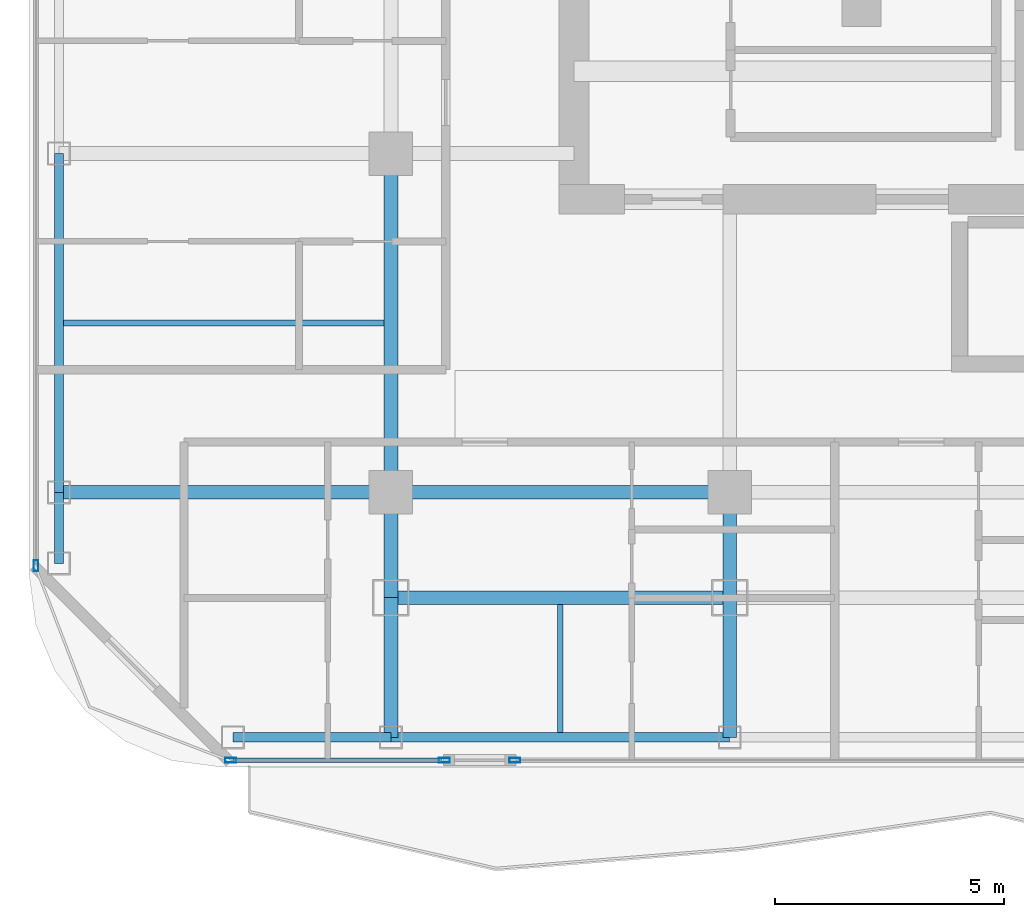
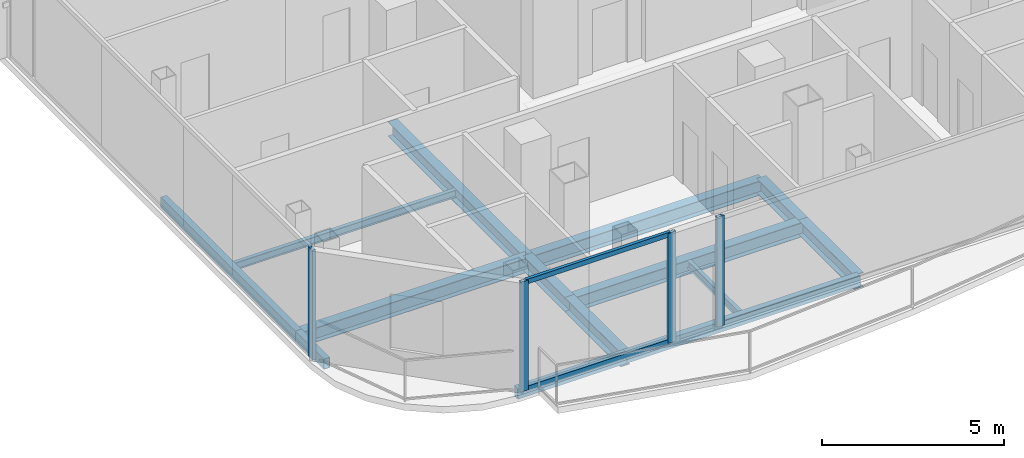
# One storey, part 2 of 26: 14 beams, 6 members, 3 elements without a shape of their own.
"""IFC4 building model written with IfcOpenShell, lengths in metres."""

from ifc_helpers import new_model, si_unit, direction, frame, origin, origin_2d, place, context, subcontext, project, spatial, hollow_rectangle, i_section, extrude, material, layer, layer_set, material_profile, profile_set, type_object, element, aggregate, save


model = new_model("IFC4")

# Units and contexts
model_context = context("Model", 3, precision=1e-05, world=origin(), true_north=direction((0.0, 1.0)))
body_context = subcontext(model_context, "Body", "Model", "MODEL_VIEW")
ifc_project = project(units=[si_unit("LENGTHUNIT", "METRE"), si_unit("AREAUNIT", "SQUARE_METRE"), si_unit("VOLUMEUNIT", "CUBIC_METRE"), si_unit("PLANEANGLEUNIT", "RADIAN"), si_unit("MASSUNIT", "GRAM", prefix="KILO")], contexts=[model_context])

# Site, building, storey
site_placement = place(None, origin())
site = spatial("IfcSite", under=ifc_project, at=site_placement, CompositionType="ELEMENT")
building_placement = place(site_placement, origin())
building = spatial("IfcBuilding", under=site, at=building_placement, Name="Khorvyn Point Tower", CompositionType="ELEMENT")
storey_placement = place(building_placement, frame((0.0, 0.0, 289.800048828125)))
storey = spatial("IfcBuildingStorey", under=building, at=storey_placement, Name="L71", CompositionType="ELEMENT", Elevation=289.800048828125)

# Curtain wall, member
ifc_material_1 = material(Name="Anodised aluminium 6063-T6 and laminated Low-E glass", Category="aluminium")
ifc_layer = layer(ifc_material_1, 0.18994140625)
ifc_layer_set = layer_set([ifc_layer], Name="Stick-Built High-Wind Curtain Wall CW-SYS-04")
curtain_wall_type = type_object("IfcCurtainWallType", Name="Stick-Built High-Wind Curtain Wall CW-SYS-04", PredefinedType="NOTDEFINED", material=ifc_layer_set)
curtain_wall_1_placement = place(storey_placement, origin())
curtain_wall_1 = element("IfcCurtainWall", 1, at=curtain_wall_1_placement, inside=storey, type_object=curtain_wall_type, Name="Curtain Wall", PredefinedType="NOTDEFINED")
ifc_material_2 = material(Name="Anodised aluminium 6063-T6", Category="aluminium")
ifc_material_profile_1 = material_profile(ifc_material_2, hollow_rectangle(XDim=0.10009765625, YDim=0.239990234375, WallThickness=0.0048828125, at=origin_2d()))
ifc_profile_set_1 = profile_set([ifc_material_profile_1], Name="Anodised aluminium 6063-T6 ALU-MUL-100x240")
member_type_1 = type_object("IfcMemberType", Name="Anodised Aluminium 6063-T6 Mullion ALU-MUL-100x240", PredefinedType="MULLION", material=ifc_profile_set_1)
member_1_placement = place(storey_placement, frame((-12.090087890625, -20.64990234375, 0.0), z_axis=(0.0, 0.0, 1.0), x_axis=(0.0, -1.0, 0.0)))
member_1 = element("IfcMember", 2, at=member_1_placement, type_object=member_type_1, Name="Transom", PredefinedType="MULLION", context=body_context, shape_type="SweptSolid", body=[
    extrude(hollow_rectangle(XDim=0.10009765625, YDim=0.239990234375, WallThickness=0.0048828125, at=origin_2d()), origin(), (0.0, 0.0, 1.0), 3.679931640625),
])
aggregate(curtain_wall_1, [member_1])

# Curtain wall, members
curtain_wall_2_placement = place(storey_placement, origin())
curtain_wall_2 = element("IfcCurtainWall", 3, at=curtain_wall_2_placement, inside=storey, type_object=curtain_wall_type, Name="Curtain Wall", PredefinedType="NOTDEFINED")
member_2_placement = place(storey_placement, frame((-13.6298828125, -20.64990234375, 0.0), z_axis=(0.0, 0.0, 1.0), x_axis=(0.0, -1.0, 0.0)))
member_2 = element("IfcMember", 4, at=member_2_placement, type_object=member_type_1, Name="Transom", PredefinedType="MULLION", context=body_context, shape_type="SweptSolid", body=[
    extrude(hollow_rectangle(XDim=0.10009765625, YDim=0.239990234375, WallThickness=0.0048828125, at=origin_2d()), origin(), (0.0, 0.0, 1.0), 3.679931640625),
])
member_3_placement = place(storey_placement, frame((-18.300048828125, -20.64990234375, 0.0), z_axis=(0.0, 0.0, 1.0), x_axis=(0.0, -1.0, 0.0)))
member_3 = element("IfcMember", 5, at=member_3_placement, type_object=member_type_1, Name="Transom", PredefinedType="MULLION", context=body_context, shape_type="SweptSolid", body=[
    extrude(hollow_rectangle(XDim=0.10009765625, YDim=0.239990234375, WallThickness=0.0048828125, at=origin_2d()), origin(), (0.0, 0.0, 1.0), 3.679931640625),
])

# Curtain wall, member
curtain_wall_3_placement = place(storey_placement, origin())
curtain_wall_3 = element("IfcCurtainWall", 6, at=curtain_wall_3_placement, inside=storey, type_object=curtain_wall_type, Name="Curtain Wall", PredefinedType="NOTDEFINED")
member_4_placement = place(storey_placement, frame((-22.550048828125, -16.39990234375, 0.0), z_axis=(0.0, 0.0, 1.0), x_axis=(-1.0, 0.0, 0.0)))
member_4 = element("IfcMember", 7, at=member_4_placement, type_object=member_type_1, Name="Transom", PredefinedType="MULLION", context=body_context, shape_type="SweptSolid", body=[
    extrude(hollow_rectangle(XDim=0.10009765625, YDim=0.239990234375, WallThickness=0.0048828125, at=origin_2d()), origin(), (0.0, 0.0, 1.0), 3.679931640625),
])
aggregate(curtain_wall_3, [member_4])

# Member
ifc_material_profile_2 = material_profile(ifc_material_2, hollow_rectangle(XDim=0.10009765625, YDim=0.159912109375, WallThickness=0.00439453125, at=origin_2d()))
ifc_profile_set_2 = profile_set([ifc_material_profile_2], Name="Anodised aluminium 6063-T6 ALU-TRN-100x160")
member_type_2 = type_object("IfcMemberType", Name="Anodised Aluminium 6063-T6 Transom ALU-TRN-100x160", PredefinedType="USERDEFINED", material=ifc_profile_set_2)
member_5_placement = place(storey_placement, frame((-13.679931640625, -20.64990234375, 0.050048828125), z_axis=(-1.0, 0.0, 0.0), x_axis=(0.0, -1.0, 0.0)))
member_5 = element("IfcMember", 8, at=member_5_placement, type_object=member_type_2, Name="Transom", ObjectType="TRANSOM", PredefinedType="USERDEFINED", context=body_context, shape_type="SweptSolid", body=[
    extrude(hollow_rectangle(XDim=0.10009765625, YDim=0.159912109375, WallThickness=0.00439453125, at=origin_2d()), origin(), (0.0, 0.0, 1.0), 4.570068359375),
])

member_6_placement = place(storey_placement, frame((-13.679931640625, -20.64990234375, 3.6298828125), z_axis=(-1.0, 0.0, 0.0), x_axis=(0.0, -1.0, 0.0)))
member_6 = element("IfcMember", 9, at=member_6_placement, type_object=member_type_2, Name="Transom", ObjectType="TRANSOM", PredefinedType="USERDEFINED", context=body_context, shape_type="SweptSolid", body=[
    extrude(hollow_rectangle(XDim=0.10009765625, YDim=0.159912109375, WallThickness=0.00439453125, at=origin_2d()), origin(), (0.0, 0.0, 1.0), 4.570068359375),
])

aggregate(curtain_wall_2, [member_2, member_3, member_5, member_6])

# Beams
ifc_material_3 = material(Name="Steel S355", Category="steel")
ifc_material_profile_3 = material_profile(ifc_material_3, i_section(OverallWidth=0.125, OverallDepth=0.25, WebThickness=0.006103515625, FlangeThickness=0.009033203125, at=origin_2d()))
ifc_profile_set_3 = profile_set([ifc_material_profile_3], Name="Steel S355 H250x125x6x9")
beam_type_1 = type_object("IfcBeamType", Name="Steel S355 Joist H250x125x6x9", PredefinedType="JOIST", material=ifc_profile_set_3)
beam_1_placement = place(storey_placement, frame((-21.949951171875, -11.10009765625, -0.344970703125), z_axis=(1.0, 0.0, 0.0), x_axis=(0.0, 1.0, 0.0)))
element("IfcBeam", 10, at=beam_1_placement, inside=storey, type_object=beam_type_1, Name="Beam", PredefinedType="JOIST", context=body_context, shape_type="SweptSolid", body=[
    extrude(i_section(OverallWidth=0.125, OverallDepth=0.25, WebThickness=0.006103515625, FlangeThickness=0.009033203125, at=origin_2d()), origin(), (0.0, 0.0, 1.0), 7.0),
])
beam_2_placement = place(storey_placement, frame((-11.10009765625, -20.050048828125, -0.344970703125), z_axis=(0.0, 1.0, 0.0), x_axis=(-1.0, 0.0, 0.0)))
element("IfcBeam", 11, at=beam_2_placement, inside=storey, type_object=beam_type_1, Name="Beam", PredefinedType="JOIST", context=body_context, shape_type="SweptSolid", body=[
    extrude(i_section(OverallWidth=0.125, OverallDepth=0.25, WebThickness=0.006103515625, FlangeThickness=0.009033203125, at=origin_2d()), origin(), (0.0, 0.0, 1.0), 2.800048828125),
])
ifc_material_profile_4 = material_profile(ifc_material_3, i_section(OverallWidth=0.300048828125, OverallDepth=0.488037109375, WebThickness=0.010986328125, FlangeThickness=0.01806640625, at=origin_2d()))
ifc_profile_set_4 = profile_set([ifc_material_profile_4], Name="Steel S355 H488x300x11x18")
beam_type_2 = type_object("IfcBeamType", Name="Steel S355 Spandrel H488x300x11x18", PredefinedType="SPANDREL", material=ifc_profile_set_4)
beam_3_placement = place(storey_placement, frame((-22.050048828125, -14.800048828125, -0.464111328125), z_axis=(1.0, 0.0, 0.0), x_axis=(0.0, 1.0, 0.0)))
element("IfcBeam", 12, at=beam_3_placement, inside=storey, type_object=beam_type_2, Name="Beam", PredefinedType="SPANDREL", context=body_context, shape_type="SweptSolid", body=[
    extrude(i_section(OverallWidth=0.300048828125, OverallDepth=0.488037109375, WebThickness=0.010986328125, FlangeThickness=0.01806640625, at=origin_2d()), origin(), (0.0, 0.0, 1.0), 7.25),
])
for number, where, z_axis, x_axis, name in (
    (13, (-14.800048828125, -14.800048828125, -0.464111328125), (1.0, 0.0, 0.0), (0.0, 1.0, 0.0), "Beam"),
    (14, (-14.800048828125, -17.10009765625, -0.464111328125), (1.0, 0.0, 0.0), (0.0, 1.0, 0.0), "Beam"),
):
    element("IfcBeam", number, at=place(storey_placement, frame(where, z_axis=z_axis, x_axis=x_axis)), inside=storey, type_object=beam_type_2, Name=name, PredefinedType="SPANDREL", context=body_context, shape_type="SweptSolid", body=[
        extrude(i_section(OverallWidth=0.300048828125, OverallDepth=0.488037109375, WebThickness=0.010986328125, FlangeThickness=0.01806640625, at=origin_2d()), origin(), (0.0, 0.0, 1.0), 7.400146484375),
    ])
beam_4_placement = place(storey_placement, frame((-14.800048828125, -20.14990234375, -0.464111328125), z_axis=(0.0, 1.0, 0.0), x_axis=(-1.0, 0.0, 0.0)))
element("IfcBeam", 15, at=beam_4_placement, inside=storey, type_object=beam_type_2, Name="Beam", PredefinedType="SPANDREL", context=body_context, shape_type="SweptSolid", body=[
    extrude(i_section(OverallWidth=0.300048828125, OverallDepth=0.488037109375, WebThickness=0.010986328125, FlangeThickness=0.01806640625, at=origin_2d()), origin(), (0.0, 0.0, 1.0), 3.0498046875),
])
beam_5_placement = place(storey_placement, frame((-14.800048828125, -17.10009765625, -0.464111328125), z_axis=(0.0, 1.0, 0.0), x_axis=(-1.0, 0.0, 0.0)))
element("IfcBeam", 16, at=beam_5_placement, inside=storey, type_object=beam_type_2, Name="Beam", PredefinedType="SPANDREL", context=body_context, shape_type="SweptSolid", body=[
    extrude(i_section(OverallWidth=0.300048828125, OverallDepth=0.488037109375, WebThickness=0.010986328125, FlangeThickness=0.01806640625, at=origin_2d()), origin(), (0.0, 0.0, 1.0), 2.300048828125),
])
beam_6_placement = place(storey_placement, frame((-14.800048828125, -14.800048828125, -0.464111328125), z_axis=(0.0, 1.0, 0.0), x_axis=(-1.0, 0.0, 0.0)))
element("IfcBeam", 17, at=beam_6_placement, inside=storey, type_object=beam_type_2, Name="Beam", PredefinedType="SPANDREL", context=body_context, shape_type="SweptSolid", body=[
    extrude(i_section(OverallWidth=0.300048828125, OverallDepth=0.488037109375, WebThickness=0.010986328125, FlangeThickness=0.01806640625, at=origin_2d()), origin(), (0.0, 0.0, 1.0), 7.400146484375),
])
beam_7_placement = place(storey_placement, frame((-7.39990234375, -20.14990234375, -0.464111328125), z_axis=(0.0, 1.0, 0.0), x_axis=(-1.0, 0.0, 0.0)))
element("IfcBeam", 18, at=beam_7_placement, inside=storey, type_object=beam_type_2, Name="Beam", PredefinedType="SPANDREL", context=body_context, shape_type="SweptSolid", body=[
    extrude(i_section(OverallWidth=0.300048828125, OverallDepth=0.488037109375, WebThickness=0.010986328125, FlangeThickness=0.01806640625, at=origin_2d()), origin(), (0.0, 0.0, 1.0), 3.0498046875),
])
beam_8_placement = place(storey_placement, frame((-7.39990234375, -17.10009765625, -0.464111328125), z_axis=(0.0, 1.0, 0.0), x_axis=(-1.0, 0.0, 0.0)))
element("IfcBeam", 19, at=beam_8_placement, inside=storey, type_object=beam_type_2, Name="Beam", PredefinedType="SPANDREL", context=body_context, shape_type="SweptSolid", body=[
    extrude(i_section(OverallWidth=0.300048828125, OverallDepth=0.488037109375, WebThickness=0.010986328125, FlangeThickness=0.01806640625, at=origin_2d()), origin(), (0.0, 0.0, 1.0), 2.300048828125),
])
ifc_material_profile_5 = material_profile(ifc_material_3, hollow_rectangle(XDim=0.199951171875, YDim=0.35009765625, WallThickness=0.013916015625, at=origin_2d()))
ifc_profile_set_5 = profile_set([ifc_material_profile_5], Name="Steel S355 RHS350x200x14")
beam_type_3 = type_object("IfcBeamType", Name="Steel S355 Spandrel RHS350x200x14", PredefinedType="SPANDREL", material=ifc_profile_set_5)
beam_9_placement = place(storey_placement, frame((-18.25, -20.14990234375, -0.39501953125), z_axis=(1.0, 0.0, 0.0), x_axis=(0.0, 1.0, 0.0)))
element("IfcBeam", 20, at=beam_9_placement, inside=storey, type_object=beam_type_3, Name="Beam", PredefinedType="SPANDREL", context=body_context, shape_type="SweptSolid", body=[
    extrude(hollow_rectangle(XDim=0.199951171875, YDim=0.35009765625, WallThickness=0.013916015625, at=origin_2d()), origin(), (0.0, 0.0, 1.0), 3.449951171875),
])
beam_10_placement = place(storey_placement, frame((-14.800048828125, -20.14990234375, -0.39501953125), z_axis=(1.0, 0.0, 0.0), x_axis=(0.0, 1.0, 0.0)))
element("IfcBeam", 21, at=beam_10_placement, inside=storey, type_object=beam_type_3, Name="Beam", PredefinedType="SPANDREL", context=body_context, shape_type="SweptSolid", body=[
    extrude(hollow_rectangle(XDim=0.199951171875, YDim=0.35009765625, WallThickness=0.013916015625, at=origin_2d()), origin(), (0.0, 0.0, 1.0), 7.400146484375),
])
beam_11_placement = place(storey_placement, frame((-22.050048828125, -16.35009765625, -0.39501953125), z_axis=(0.0, 1.0, 0.0), x_axis=(-1.0, 0.0, 0.0)))
element("IfcBeam", 22, at=beam_11_placement, inside=storey, type_object=beam_type_3, Name="Beam", PredefinedType="SPANDREL", context=body_context, shape_type="SweptSolid", body=[
    extrude(hollow_rectangle(XDim=0.199951171875, YDim=0.35009765625, WallThickness=0.013916015625, at=origin_2d()), origin(), (0.0, 0.0, 1.0), 1.550048828125),
])
beam_12_placement = place(storey_placement, frame((-22.050048828125, -14.800048828125, -0.39501953125), z_axis=(0.0, 1.0, 0.0), x_axis=(-1.0, 0.0, 0.0)))
element("IfcBeam", 23, at=beam_12_placement, inside=storey, type_object=beam_type_3, Name="Beam", PredefinedType="SPANDREL", context=body_context, shape_type="SweptSolid", body=[
    extrude(hollow_rectangle(XDim=0.199951171875, YDim=0.35009765625, WallThickness=0.013916015625, at=origin_2d()), origin(), (0.0, 0.0, 1.0), 7.400146484375),
])

save(model, "model.ifc")
